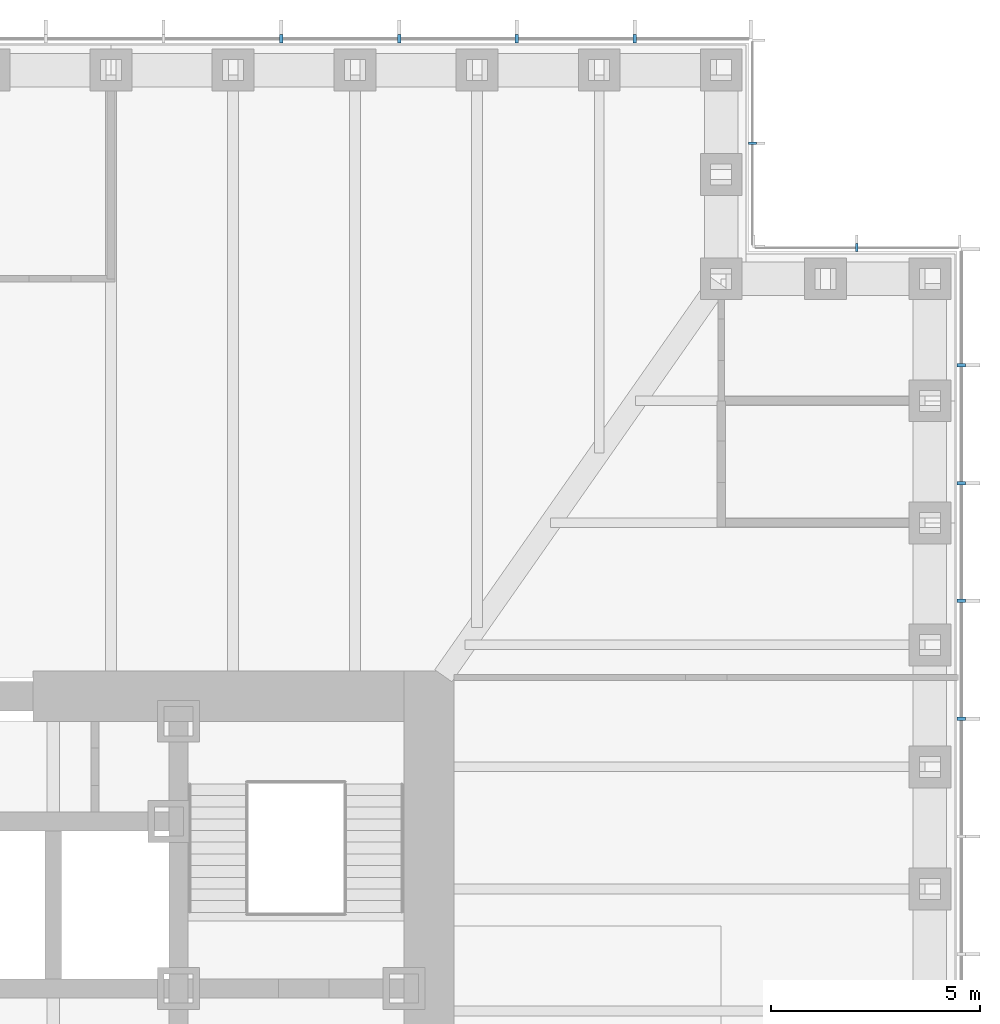
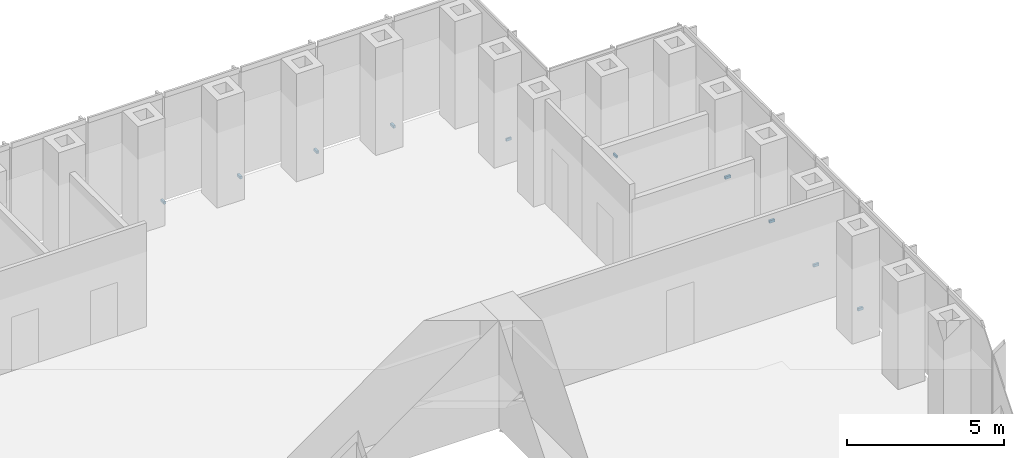
# One storey, part 15 of 16: 10 discrete accessories.
"""IFC4 building model written with IfcOpenShell, lengths in metres."""

from ifc_helpers import new_model, si_unit, direction, frame, origin, origin_2d, place, context, subcontext, project, spatial, rectangle, extrude, element, save


model = new_model("IFC4")

# Units and contexts
model_context = context("Model", 3, precision=1e-05, world=origin(), true_north=direction((0.0, 1.0)))
body_context = subcontext(model_context, "Body", "Model", "MODEL_VIEW")
ifc_project = project(units=[si_unit("LENGTHUNIT", "METRE"), si_unit("AREAUNIT", "SQUARE_METRE"), si_unit("VOLUMEUNIT", "CUBIC_METRE"), si_unit("PLANEANGLEUNIT", "RADIAN"), si_unit("MASSUNIT", "GRAM", prefix="KILO")], contexts=[model_context])

# Site, building, storey
site_placement = place(None, origin())
site = spatial("IfcSite", under=ifc_project, at=site_placement, CompositionType="ELEMENT")
building_placement = place(site_placement, origin())
building = spatial("IfcBuilding", under=site, at=building_placement, Name="Daluyong Arena Tower", CompositionType="ELEMENT")
storey_placement = place(building_placement, frame((0.0, 0.0, 47.5)))
storey = spatial("IfcBuildingStorey", under=building, at=storey_placement, Name="L09", CompositionType="ELEMENT", Elevation=47.5)

# Discrete accessories
for number, where, z_axis, x_axis, name in (
    (1, (80.75, 88.46435546875, -0.10009765625), (0.0, 0.0, 1.0), (0.0, 1.0, 0.0), "curtain wall L09 E anchor bracket 11"),
    (2, (80.75, 91.28564453125, -0.10009765625), (0.0, 0.0, 1.0), (0.0, 1.0, 0.0), "curtain wall L09 E anchor bracket 12"),
    (3, (80.75, 94.107177734375, -0.10009765625), (0.0, 0.0, 1.0), (0.0, 1.0, 0.0), "curtain wall L09 E anchor bracket 13"),
    (4, (80.75, 96.928466796875, -0.10009765625), (0.0, 0.0, 1.0), (0.0, 1.0, 0.0), "curtain wall L09 E anchor bracket 14"),
):
    element("IfcDiscreteAccessory", number, at=place(storey_placement, frame(where, z_axis=z_axis, x_axis=x_axis)), inside=storey, Name=name, PredefinedType="BRACKET", context=body_context, shape_type="SweptSolid", body=[
        extrude(rectangle(XDim=0.080078125, YDim=0.199951171875, at=origin_2d()), origin(), (0.0, 0.0, 1.0), 0.10009765625),
    ])
for number, where, z_axis, x_axis, name in (
    (5, (78.25, 99.75, -0.10009765625), (0.0, 0.0, 1.0), (-1.0, 0.0, 0.0), "curtain wall L09 NE-N anchor bracket 2"),
    (6, (75.75, 102.25, -0.10009765625), (0.0, 0.0, 1.0), (0.0, 1.0, 0.0), "curtain wall L09 NE-E anchor bracket 2"),
):
    element("IfcDiscreteAccessory", number, at=place(storey_placement, frame(where, z_axis=z_axis, x_axis=x_axis)), inside=storey, Name=name, PredefinedType="BRACKET", context=body_context, shape_type="SweptSolid", body=[
        extrude(rectangle(XDim=0.06005859375, YDim=0.199951171875, at=origin_2d()), origin(), (0.0, 0.0, 1.0), 0.10009765625),
    ])
for number, where, z_axis, x_axis, name in (
    (7, (72.928466796875, 104.75, -0.10009765625), (0.0, 0.0, 1.0), (-1.0, 0.0, 0.0), "curtain wall L09 N anchor bracket 2"),
    (8, (70.107177734375, 104.75, -0.10009765625), (0.0, 0.0, 1.0), (-1.0, 0.0, 0.0), "curtain wall L09 N anchor bracket 3"),
    (9, (67.28564453125, 104.75, -0.10009765625), (0.0, 0.0, 1.0), (-1.0, 0.0, 0.0), "curtain wall L09 N anchor bracket 4"),
    (10, (64.46435546875, 104.75, -0.10009765625), (0.0, 0.0, 1.0), (-1.0, 0.0, 0.0), "curtain wall L09 N anchor bracket 5"),
):
    element("IfcDiscreteAccessory", number, at=place(storey_placement, frame(where, z_axis=z_axis, x_axis=x_axis)), inside=storey, Name=name, PredefinedType="BRACKET", context=body_context, shape_type="SweptSolid", body=[
        extrude(rectangle(XDim=0.080078125, YDim=0.199951171875, at=origin_2d()), origin(), (0.0, 0.0, 1.0), 0.10009765625),
    ])

save(model, "model.ifc")
